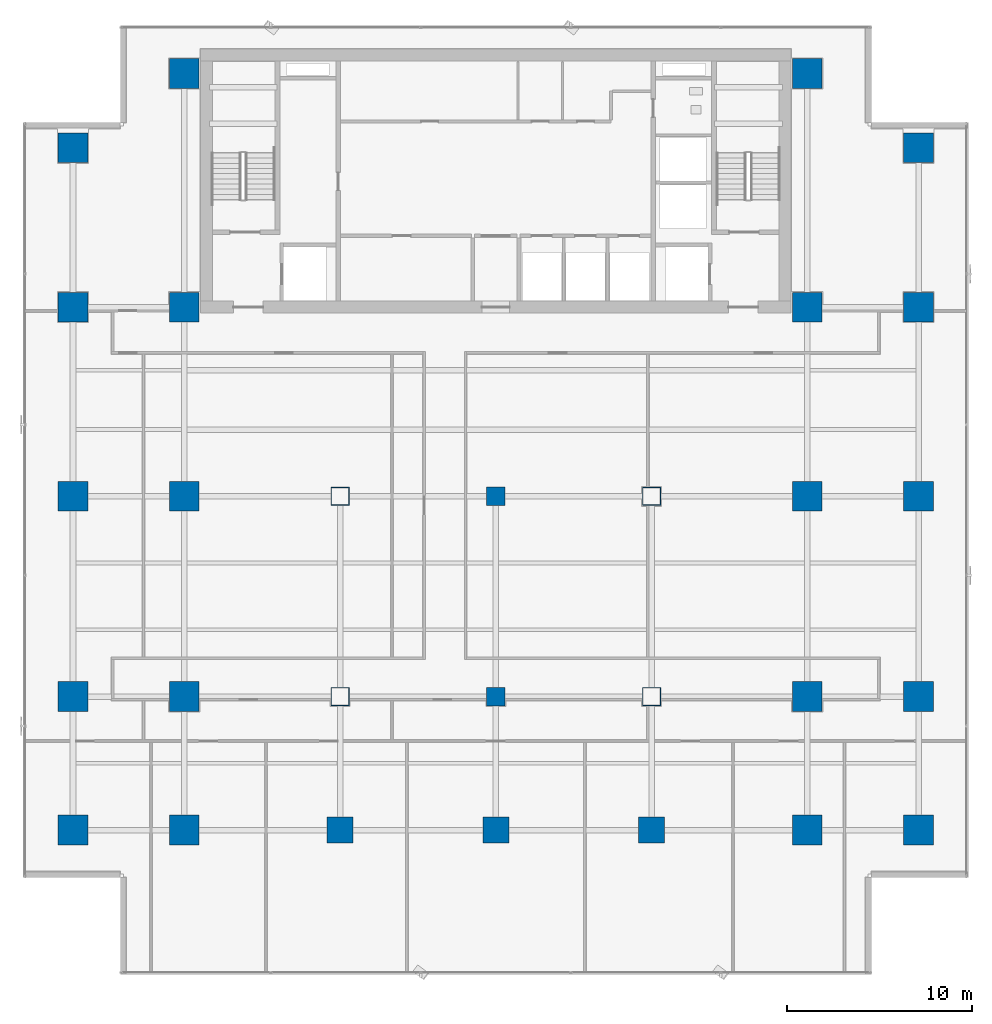
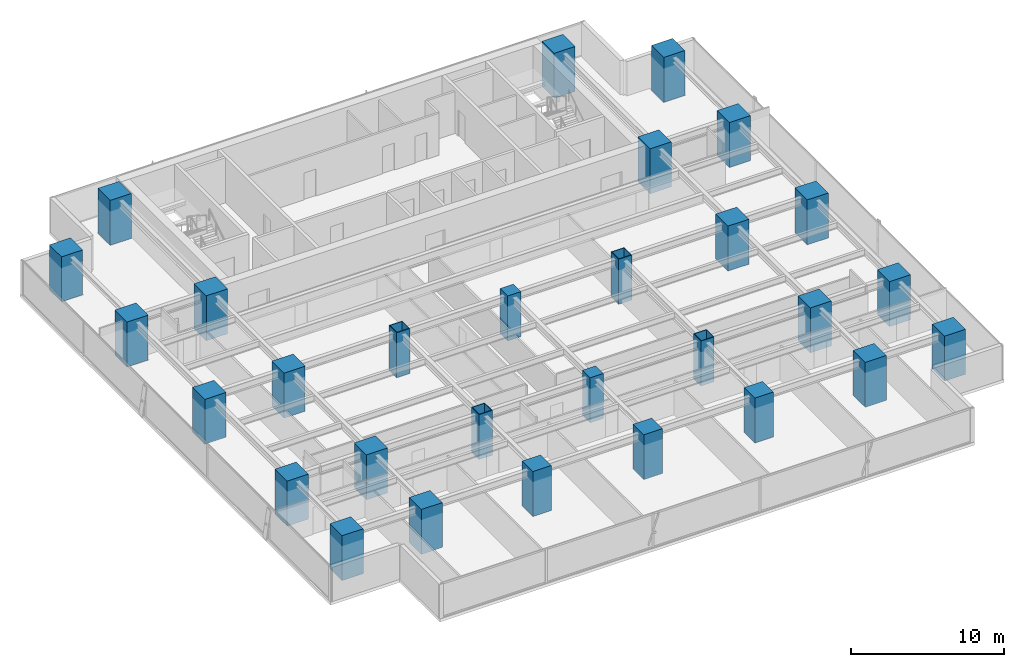
# One storey, part 1 of 37: 29 columns.
"""IFC4 building model written with IfcOpenShell, lengths in metres."""

from ifc_helpers import new_model, si_unit, direction, frame, origin, origin_2d, place, context, subcontext, project, spatial, rectangle, hollow_rectangle, extrude, source, transform, mapped, material, material_profile, profile_set, type_object, element, save


model = new_model("IFC4")

# Units and contexts
model_context = context("Model", 3, precision=1e-05, world=origin(), true_north=direction((0.0, 1.0)))
body_context = subcontext(model_context, "Body", "Model", "MODEL_VIEW")
ifc_project = project(units=[si_unit("LENGTHUNIT", "METRE"), si_unit("AREAUNIT", "SQUARE_METRE"), si_unit("VOLUMEUNIT", "CUBIC_METRE"), si_unit("PLANEANGLEUNIT", "RADIAN"), si_unit("MASSUNIT", "GRAM", prefix="KILO")], contexts=[model_context])

# Site, building, storey
site_placement = place(None, origin())
site = spatial("IfcSite", under=ifc_project, at=site_placement, CompositionType="ELEMENT")
building_placement = place(site_placement, origin())
building = spatial("IfcBuilding", under=site, at=building_placement, Name="Sumidabori Civic Tower", CompositionType="ELEMENT")
storey_placement = place(building_placement, frame((0.0, 0.0, 88.39990234375)))
storey = spatial("IfcBuildingStorey", under=building, at=storey_placement, Name="L22", CompositionType="ELEMENT", Elevation=88.39990234375)

# Columns
ifc_material_1 = material(Name="Concrete C60/75", Category="concrete")
ifc_material_profile_1 = material_profile(ifc_material_1, rectangle(XDim=1.60009765625, YDim=1.60009765625, at=origin_2d()), Name="RC 1600x1600")
ifc_profile_set_1 = profile_set([ifc_material_profile_1], Name="Concrete C60/75")
column_type_1 = type_object("IfcColumnType", Name="CL-MEGA-1600", PredefinedType="COLUMN", material=ifc_profile_set_1)
shared_shape_1 = source(origin(), body_context, "Body", "SweptSolid", [
    extrude(rectangle(XDim=1.60009765625, YDim=1.60009765625, at=origin_2d()), origin(), (0.0, 0.0, 1.0), 3.60009765625),
])
for number, where, z_axis, x_axis, name in (
    (1, (-16.800048828125, -18.0, 0.0), (0.0, 0.0, 1.0), (1.0, 0.0, 0.0), "Column MC-W16-Y18S L22"),
    (2, (-16.800048828125, -10.800048828125, 0.0), (0.0, 0.0, 1.0), (1.0, 0.0, 0.0), "Column MC-W16-Y11S L22"),
    (3, (-16.800048828125, 0.0, 0.0), (0.0, 0.0, 1.0), (1.0, 0.0, 0.0), "Column MC-W16-Y00 L22"),
    (4, (-16.800048828125, 10.199951171875, 0.0), (0.0, 0.0, 1.0), (1.0, 0.0, 0.0), "Column MC-W16-Y10N L22"),
    (5, (-16.800048828125, 22.800048828125, 0.0), (0.0, 0.0, 1.0), (1.0, 0.0, 0.0), "Column MC-W16-Y23N L22"),
    (6, (16.800048828125, -18.0, 0.0), (0.0, 0.0, 1.0), (1.0, 0.0, 0.0), "Column MC-E16-Y18S L22"),
    (7, (16.800048828125, -10.800048828125, 0.0), (0.0, 0.0, 1.0), (1.0, 0.0, 0.0), "Column MC-E16-Y11S L22"),
    (8, (16.800048828125, 0.0, 0.0), (0.0, 0.0, 1.0), (1.0, 0.0, 0.0), "Column MC-E16-Y00 L22"),
    (9, (16.800048828125, 10.199951171875, 0.0), (0.0, 0.0, 1.0), (1.0, 0.0, 0.0), "Column MC-E16-Y10N L22"),
    (10, (16.800048828125, 22.800048828125, 0.0), (0.0, 0.0, 1.0), (1.0, 0.0, 0.0), "Column MC-E16-Y23N L22"),
    (11, (-22.800048828125, -18.0, 0.0), (0.0, 0.0, 1.0), (1.0, 0.0, 0.0), "Column MC-W23-Y18S L22"),
    (12, (-22.800048828125, -10.800048828125, 0.0), (0.0, 0.0, 1.0), (1.0, 0.0, 0.0), "Column MC-W23-Y11S L22"),
    (13, (-22.800048828125, 0.0, 0.0), (0.0, 0.0, 1.0), (1.0, 0.0, 0.0), "Column MC-W23-Y00 L22"),
    (14, (-22.800048828125, 10.199951171875, 0.0), (0.0, 0.0, 1.0), (1.0, 0.0, 0.0), "Column MC-W23-Y10N L22"),
    (15, (-22.800048828125, 18.800048828125, 0.0), (0.0, 0.0, 1.0), (1.0, 0.0, 0.0), "Column MC-W23-Y19N L22"),
    (16, (22.800048828125, -18.0, 0.0), (0.0, 0.0, 1.0), (1.0, 0.0, 0.0), "Column MC-E23-Y18S L22"),
    (17, (22.800048828125, -10.800048828125, 0.0), (0.0, 0.0, 1.0), (1.0, 0.0, 0.0), "Column MC-E23-Y11S L22"),
    (18, (22.800048828125, 0.0, 0.0), (0.0, 0.0, 1.0), (1.0, 0.0, 0.0), "Column MC-E23-Y00 L22"),
    (19, (22.800048828125, 10.199951171875, 0.0), (0.0, 0.0, 1.0), (1.0, 0.0, 0.0), "Column MC-E23-Y10N L22"),
    (20, (22.800048828125, 18.800048828125, 0.0), (0.0, 0.0, 1.0), (1.0, 0.0, 0.0), "Column MC-E23-Y19N L22"),
):
    element("IfcColumn", number, at=place(storey_placement, frame(where, z_axis=z_axis, x_axis=x_axis)), inside=storey, type_object=column_type_1, Name=name, PredefinedType="COLUMN", context=body_context, shape_type="MappedRepresentation", body=[
        mapped(shared_shape_1, transform((0.0, 0.0, 0.0), x_axis=(1.0, 0.0, 0.0), y_axis=(0.0, 1.0, 0.0), z_axis=(0.0, 0.0, 1.0), scale=1.0)),
    ])
ifc_material_2 = material(Name="Steel SM570", Category="steel")
ifc_material_profile_2 = material_profile(ifc_material_2, hollow_rectangle(XDim=1.0, YDim=1.0, WallThickness=0.044921875, at=origin_2d()), Name="SHS 1000x1000x45")
ifc_profile_set_2 = profile_set([ifc_material_profile_2], Name="Steel SM570")
column_type_2 = type_object("IfcColumnType", Name="CL-PORTAL-SHS1000", PredefinedType="COLUMN", material=ifc_profile_set_2)
shared_shape_2 = source(origin(), body_context, "Body", "SweptSolid", [
    extrude(hollow_rectangle(XDim=1.0, YDim=1.0, WallThickness=0.044921875, at=origin_2d()), origin(), (0.0, 0.0, 1.0), 3.60009765625),
])
for number, where, z_axis, x_axis, name in (
    (21, (-8.39990234375, 0.0, 0.0), (0.0, 0.0, 1.0), (1.0, 0.0, 0.0), "Column MC-W08-Y00 L22"),
    (22, (-8.39990234375, -10.800048828125, 0.0), (0.0, 0.0, 1.0), (1.0, 0.0, 0.0), "Column MC-W08-Y11S L22"),
    (23, (8.39990234375, 0.0, 0.0), (0.0, 0.0, 1.0), (1.0, 0.0, 0.0), "Column MC-E08-Y00 L22"),
    (24, (8.39990234375, -10.800048828125, 0.0), (0.0, 0.0, 1.0), (1.0, 0.0, 0.0), "Column MC-E08-Y11S L22"),
):
    element("IfcColumn", number, at=place(storey_placement, frame(where, z_axis=z_axis, x_axis=x_axis)), inside=storey, type_object=column_type_2, Name=name, PredefinedType="COLUMN", context=body_context, shape_type="MappedRepresentation", body=[
        mapped(shared_shape_2, transform((0.0, 0.0, 0.0), x_axis=(1.0, 0.0, 0.0), y_axis=(0.0, 1.0, 0.0), z_axis=(0.0, 0.0, 1.0), scale=1.0)),
    ])
ifc_material_profile_3 = material_profile(ifc_material_1, rectangle(XDim=1.39990234375, YDim=1.39990234375, at=origin_2d()), Name="RC 1400x1400")
ifc_profile_set_3 = profile_set([ifc_material_profile_3], Name="Concrete C60/75")
column_type_3 = type_object("IfcColumnType", Name="CL-MEGA-1400", PredefinedType="COLUMN", material=ifc_profile_set_3)
shared_shape_3 = source(origin(), body_context, "Body", "SweptSolid", [
    extrude(rectangle(XDim=1.39990234375, YDim=1.39990234375, at=origin_2d()), origin(), (0.0, 0.0, 1.0), 3.60009765625),
])
for number, where, z_axis, x_axis, name in (
    (25, (-8.39990234375, -18.0, 0.0), (0.0, 0.0, 1.0), (1.0, 0.0, 0.0), "Column MC-W08-Y18S L22"),
    (26, (8.39990234375, -18.0, 0.0), (0.0, 0.0, 1.0), (1.0, 0.0, 0.0), "Column MC-E08-Y18S L22"),
    (27, (0.0, -18.0, 0.0), (0.0, 0.0, 1.0), (1.0, 0.0, 0.0), "Column MC-C00-Y18S L22"),
):
    element("IfcColumn", number, at=place(storey_placement, frame(where, z_axis=z_axis, x_axis=x_axis)), inside=storey, type_object=column_type_3, Name=name, PredefinedType="COLUMN", context=body_context, shape_type="MappedRepresentation", body=[
        mapped(shared_shape_3, transform((0.0, 0.0, 0.0), x_axis=(1.0, 0.0, 0.0), y_axis=(0.0, 1.0, 0.0), z_axis=(0.0, 0.0, 1.0), scale=1.0)),
    ])
ifc_material_3 = material(Name="Concrete C50/60", Category="concrete")
ifc_material_profile_4 = material_profile(ifc_material_3, rectangle(XDim=1.0, YDim=1.0, at=origin_2d()), Name="RC 1000x1000")
ifc_profile_set_4 = profile_set([ifc_material_profile_4], Name="Concrete C50/60")
column_type_4 = type_object("IfcColumnType", Name="CL-INT-1000", PredefinedType="COLUMN", material=ifc_profile_set_4)
shared_shape_4 = source(origin(), body_context, "Body", "SweptSolid", [
    extrude(rectangle(XDim=1.0, YDim=1.0, at=origin_2d()), origin(), (0.0, 0.0, 1.0), 3.60009765625),
])
for number, where, z_axis, x_axis, name in (
    (28, (0.0, -10.800048828125, 0.0), (0.0, 0.0, 1.0), (1.0, 0.0, 0.0), "Column MC-C00-Y11S L22"),
    (29, (0.0, 0.0, 0.0), (0.0, 0.0, 1.0), (1.0, 0.0, 0.0), "Column MC-C00-Y00 L22"),
):
    element("IfcColumn", number, at=place(storey_placement, frame(where, z_axis=z_axis, x_axis=x_axis)), inside=storey, type_object=column_type_4, Name=name, PredefinedType="COLUMN", context=body_context, shape_type="MappedRepresentation", body=[
        mapped(shared_shape_4, transform((0.0, 0.0, 0.0), x_axis=(1.0, 0.0, 0.0), y_axis=(0.0, 1.0, 0.0), z_axis=(0.0, 0.0, 1.0), scale=1.0)),
    ])

save(model, "model.ifc")
